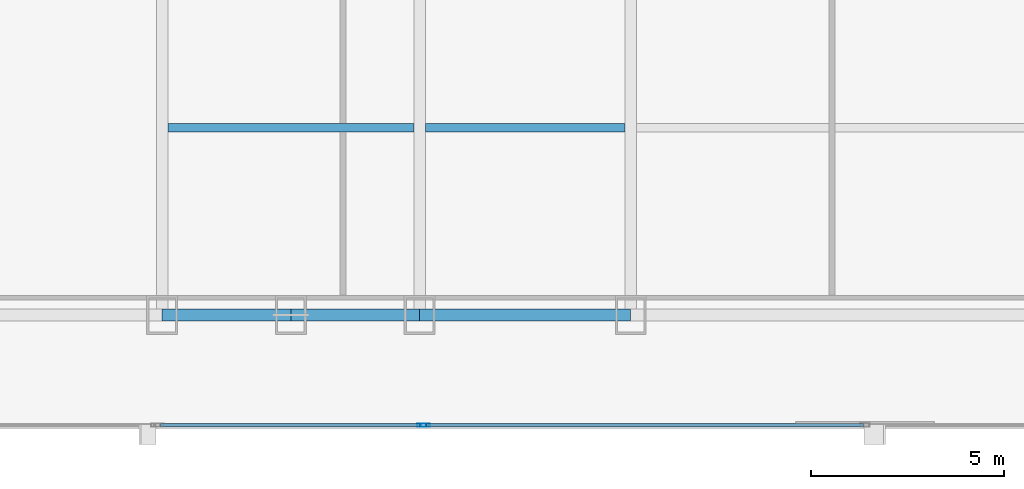
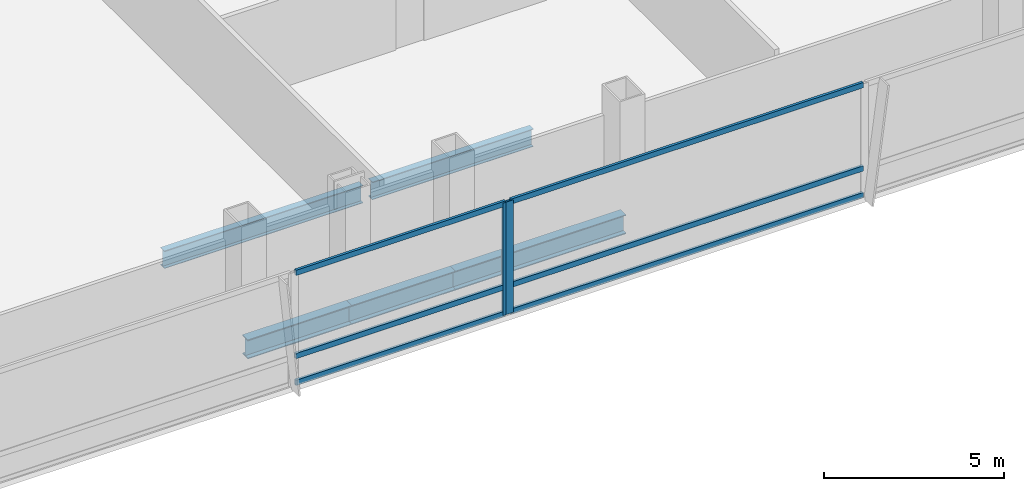
# One storey, part 8 of 37: 8 members, 5 beams, 2 elements without a shape of their own.
"""IFC4 building model written with IfcOpenShell, lengths in metres."""

import ifcopenshell
import ifcopenshell.guid

model = None  # the IFC model being written
_history = None  # IfcOwnerHistory: only IFC2X3 demands one
_inside = {}  # id of a spatial element -> (the spatial element, [elements in it])
_under = {}  # id of a project, library or spatial element -> (it, [spatial elements below it])
_declared = {}  # id of a project -> (the project, [libraries it declares])
_typed = {}  # id of a type object -> (the type object, [elements of that type])
_made_of = {}  # id of a material, layer set ... -> (it, [elements and type objects made of it])


def new_model(schema):
    """Start an empty IFC model of exactly this schema.

    Asked for "IFC4X3", IfcOpenShell would pick the latest addendum, in which some entities
    have other attributes; the version numbers below select the first issue.
    IFC2X3 requires an IfcOwnerHistory on every rooted entity: one is made here for all.
    """
    global model, _history
    if schema == "IFC4X3":
        model = ifcopenshell.file(schema_version=(4, 3, 0, 0))
    else:
        model = ifcopenshell.file(schema=schema)
    _inside.clear()
    _under.clear()
    _declared.clear()
    _typed.clear()
    _made_of.clear()
    _history = None
    if model.schema == "IFC2X3":
        org = make("IfcOrganization", Name="unknown")
        user = make(
            "IfcPersonAndOrganization",
            ThePerson=make("IfcPerson", FamilyName="unknown"),
            TheOrganization=org,
        )
        app = make(
            "IfcApplication",
            ApplicationDeveloper=org,
            Version="unknown",
            ApplicationFullName="unknown",
            ApplicationIdentifier="unknown",
        )
        _history = make(
            "IfcOwnerHistory",
            OwningUser=user,
            OwningApplication=app,
            ChangeAction="ADDED",
            CreationDate=0,
        )
    return model


def make(cls, **values):
    """One entity of the class cls with the attributes given. An attribute that is None is left unset."""
    return model.create_entity(
        cls, **{name: value for name, value in values.items() if value is not None}
    )


def rooted(cls, **values):
    """An entity with a GlobalId (a new one), such as an element, a storey or a relation."""
    return make(cls, GlobalId=ifcopenshell.guid.new(), OwnerHistory=_history, **values)


def si_unit(unit_type, name, prefix=None):
    """IfcSIUnit, for example si_unit("LENGTHUNIT", "METRE", prefix="MILLI")."""
    return make("IfcSIUnit", UnitType=unit_type, Prefix=prefix, Name=name)


def assignment(units):
    """IfcUnitAssignment: the units of a project."""
    return None if units is None else make("IfcUnitAssignment", Units=units)


def point(xyz):
    """IfcCartesianPoint."""
    return None if xyz is None else make("IfcCartesianPoint", Coordinates=xyz)


def direction(xyz):
    """IfcDirection."""
    return None if xyz is None else make("IfcDirection", DirectionRatios=xyz)


def frame(location, z_axis=None, x_axis=None):
    """IfcAxis2Placement3D, a coordinate frame: its origin and axes. An axis left out is left unset."""
    return make(
        "IfcAxis2Placement3D",
        Location=point(location),
        Axis=direction(z_axis),
        RefDirection=direction(x_axis),
    )


def frame_2d(location, x_axis=None):
    """IfcAxis2Placement2D, a coordinate frame in the plane: its origin and x axis."""
    return make(
        "IfcAxis2Placement2D", Location=point(location), RefDirection=direction(x_axis)
    )


def origin():
    """The frame at (0, 0, 0) with its axes left unset."""
    return frame((0.0, 0.0, 0.0))


def origin_2d():
    """The frame at (0, 0) in the plane with its x axis left unset."""
    return frame_2d((0.0, 0.0))


def place(relative_to, where):
    """IfcLocalPlacement: puts the frame where relative to a parent placement (None: the world)."""
    return make(
        "IfcLocalPlacement", PlacementRelTo=relative_to, RelativePlacement=where
    )


def context(
    kind, dimensions, precision=None, world=None, true_north=None, identifier=None
):
    """IfcGeometricRepresentationContext, for example the 3D "Model" context."""
    return make(
        "IfcGeometricRepresentationContext",
        ContextIdentifier=identifier,
        ContextType=kind,
        CoordinateSpaceDimension=dimensions,
        Precision=precision,
        WorldCoordinateSystem=world,
        TrueNorth=true_north,
    )


def subcontext(parent, identifier, kind, view, scale=None):
    """IfcGeometricRepresentationSubContext, for example "Body" below "Model"."""
    return make(
        "IfcGeometricRepresentationSubContext",
        ContextIdentifier=identifier,
        ContextType=kind,
        ParentContext=parent,
        TargetScale=scale,
        TargetView=view,
    )


def project(units=None, contexts=None):
    """IfcProject with its units and contexts."""
    return rooted(
        "IfcProject",
        Name="project",
        RepresentationContexts=contexts,
        UnitsInContext=assignment(units),
    )


def spatial(cls, under=None, at=None, **own):
    """A site, building, storey or space (cls), placed at a placement, below another one or the project."""
    s = rooted(cls, ObjectPlacement=at, **own)
    if under is not None:
        _under.setdefault(under.id(), (under, []))[1].append(s)
    return s


def profile(cls, at=None, kind="AREA", **sizes):
    """A parametric profile (cls). Its sizes go by their IFC names, for example OverallWidth=200.0."""
    return make(cls, ProfileType=kind, Position=at, **sizes)


def hollow_rectangle(**sizes):
    """IfcRectangleHollowProfileDef."""
    return profile("IfcRectangleHollowProfileDef", **sizes)


def i_section(**sizes):
    """IfcIShapeProfileDef."""
    return profile("IfcIShapeProfileDef", **sizes)


def extrude(swept, where, along, depth):
    """IfcExtrudedAreaSolid: the profile swept, set in the frame where, extruded along a direction by depth."""
    return make(
        "IfcExtrudedAreaSolid",
        SweptArea=swept,
        Position=where,
        ExtrudedDirection=direction(along),
        Depth=depth,
    )


def shape(context_of_items, identifier, shape_type, items):
    """IfcShapeRepresentation: the items that make up one representation, for example the "Body"."""
    return make(
        "IfcShapeRepresentation",
        ContextOfItems=context_of_items,
        RepresentationIdentifier=identifier,
        RepresentationType=shape_type,
        Items=items,
    )


def material(Name=None, Category=None):
    """IfcMaterial."""
    return make("IfcMaterial", Name=Name, Category=Category)


def material_profile(
    of_material, cross_section, Name=None, Category=None, Priority=None
):
    """IfcMaterialProfile: a cross section and its material."""
    return make(
        "IfcMaterialProfile",
        Name=Name,
        Material=of_material,
        Profile=cross_section,
        Priority=Priority,
        Category=Category,
    )


def profile_set(profiles, Name=None, composite=None):
    """IfcMaterialProfileSet."""
    return make(
        "IfcMaterialProfileSet",
        Name=Name,
        MaterialProfiles=profiles,
        CompositeProfile=composite,
    )


def made_of(thing, what):
    """Note that an element or type object is made of a material, layer set ...; save() writes the relation."""
    if what is not None:
        _made_of.setdefault(what.id(), (what, []))[1].append(thing)
    return thing


def type_object(cls, material=None, **own):
    """A type object (cls), such as IfcWallType, which elements share."""
    return made_of(rooted(cls, **own), material)


def element(
    cls,
    number,
    at=None,
    inside=None,
    cuts=None,
    type_object=None,
    material=None,
    context=None,
    identifier="Body",
    shape_type=None,
    held_by="IfcProductDefinitionShape",
    body=None,
    shapes=None,
    **own,
):
    """One element of the class cls, such as IfcWall. Its Tag is "e" and its number.

    at: its placement. inside: the storey or other place that contains it. cuts: it is an
    opening in that element (IfcRelVoidsElement). A single representation is given by context,
    identifier, shape_type and body (its items); several are given by shapes. held_by: the class
    of the entity that holds the representations. save() writes the other relations.
    """
    e = rooted(cls, Tag="e%d" % number, ObjectPlacement=at, **own)
    if body is not None:
        shapes = [shape(context, identifier, shape_type, body)]
    if shapes is not None:
        e.Representation = make(held_by, Representations=shapes)
    if inside is not None:
        _inside.setdefault(inside.id(), (inside, []))[1].append(e)
    if cuts is not None:
        rooted(
            "IfcRelVoidsElement", RelatingBuildingElement=cuts, RelatedOpeningElement=e
        )
    if type_object is not None:
        _typed.setdefault(type_object.id(), (type_object, []))[1].append(e)
    return made_of(e, material)


def aggregate(whole, parts):
    """IfcRelAggregates: a whole, such as a stair, and the parts it consists of."""
    return rooted("IfcRelAggregates", RelatingObject=whole, RelatedObjects=parts)


def save(model, path):
    """Write the relations noted so far, then the file.

    IfcRelAggregates (storeys below a building ...), IfcRelContainedInSpatialStructure (elements
    in a storey), IfcRelDefinesByType, IfcRelAssociatesMaterial and IfcRelDeclares: one each for
    every whole, place, type object, material and project.
    """
    for whole, parts in _under.values():
        aggregate(whole, parts)
    for where, things in _inside.values():
        rooted(
            "IfcRelContainedInSpatialStructure",
            RelatedElements=things,
            RelatingStructure=where,
        )
    for kind, things in _typed.values():
        rooted("IfcRelDefinesByType", RelatedObjects=things, RelatingType=kind)
    for what, things in _made_of.values():
        rooted("IfcRelAssociatesMaterial", RelatedObjects=things, RelatingMaterial=what)
    for by, libraries in _declared.values():
        rooted("IfcRelDeclares", RelatingContext=by, RelatedDefinitions=libraries)
    model.write(path)


model = new_model("IFC4")

# Units and contexts
model_context = context("Model", 3, precision=1e-05, world=origin(), true_north=direction((0.0, 1.0)))
body_context = subcontext(model_context, "Body", "Model", "MODEL_VIEW")
ifc_project = project(units=[si_unit("LENGTHUNIT", "METRE"), si_unit("AREAUNIT", "SQUARE_METRE"), si_unit("VOLUMEUNIT", "CUBIC_METRE"), si_unit("PLANEANGLEUNIT", "RADIAN"), si_unit("MASSUNIT", "GRAM", prefix="KILO")], contexts=[model_context])

# Site, building, storey
site_placement = place(None, origin())
site = spatial("IfcSite", under=ifc_project, at=site_placement, CompositionType="ELEMENT")
building_placement = place(site_placement, origin())
building = spatial("IfcBuilding", under=site, at=building_placement, Name="Khoronbel Lancet Exchange", CompositionType="ELEMENT")
storey_placement = place(building_placement, frame((0.0, 0.0, 45.800048828125)))
storey = spatial("IfcBuildingStorey", under=building, at=storey_placement, Name="L10", CompositionType="ELEMENT", Elevation=45.800048828125)

# Beams
ifc_material_1 = material(Name="Steel S355", Category="steel")
ifc_material_profile_1 = material_profile(ifc_material_1, i_section(OverallWidth=0.219970703125, OverallDepth=0.60009765625, WebThickness=0.011962890625, FlangeThickness=0.01904296875, at=origin_2d()), Name="IPE 600")
ifc_profile_set_1 = profile_set([ifc_material_profile_1], Name="Steel S355")
beam_type_1 = type_object("IfcBeamType", Name="BM-BJ1", PredefinedType="JOIST", material=ifc_profile_set_1)
beam_1_placement = place(storey_placement, frame((18.375, 15.0, -0.47998046875), z_axis=(1.0, 0.0, 0.0), x_axis=(0.0, 1.0, 0.0)))
element("IfcBeam", 1, at=beam_1_placement, inside=storey, type_object=beam_type_1, Name="Level L10 secondary composite joist J01", PredefinedType="JOIST", context=body_context, shape_type="SweptSolid", body=[
    extrude(i_section(OverallWidth=0.219970703125, OverallDepth=0.60009765625, WebThickness=0.011962890625, FlangeThickness=0.01904296875, at=origin_2d()), origin(), (0.0, 0.0, 1.0), 6.375),
])
beam_2_placement = place(storey_placement, frame((25.050048828125, 15.0, -0.47998046875), z_axis=(1.0, 0.0, 0.0), x_axis=(0.0, 1.0, 0.0)))
element("IfcBeam", 2, at=beam_2_placement, inside=storey, type_object=beam_type_1, Name="Level L10 secondary composite joist J02", PredefinedType="JOIST", context=body_context, shape_type="SweptSolid", body=[
    extrude(i_section(OverallWidth=0.219970703125, OverallDepth=0.60009765625, WebThickness=0.011962890625, FlangeThickness=0.01904296875, at=origin_2d()), origin(), (0.0, 0.0, 1.0), 5.175048828125),
])
ifc_material_profile_2 = material_profile(ifc_material_1, i_section(OverallWidth=0.300048828125, OverallDepth=0.64990234375, WebThickness=0.01611328125, FlangeThickness=0.031005859375, at=origin_2d()), Name="HEB 650")
ifc_profile_set_2 = profile_set([ifc_material_profile_2], Name="Steel S355")
beam_type_2 = type_object("IfcBeamType", Name="BM-BSP1", PredefinedType="SPANDREL", material=ifc_profile_set_2)
for number, where, z_axis, x_axis, name in (
    (3, (18.22509765625, 10.14990234375, -0.505126953125), (1.0, 0.0, 0.0), (0.0, 1.0, 0.0), "Level L10 perimeter spandrel beam SP02"),
    (4, (21.5625, 10.14990234375, -0.505126953125), (1.0, 0.0, 0.0), (0.0, 1.0, 0.0), "Level L10 perimeter spandrel beam SP03"),
):
    element("IfcBeam", number, at=place(storey_placement, frame(where, z_axis=z_axis, x_axis=x_axis)), inside=storey, type_object=beam_type_2, Name=name, PredefinedType="SPANDREL", context=body_context, shape_type="SweptSolid", body=[
        extrude(i_section(OverallWidth=0.300048828125, OverallDepth=0.64990234375, WebThickness=0.01611328125, FlangeThickness=0.031005859375, at=origin_2d()), origin(), (0.0, 0.0, 1.0), 3.33740234375),
    ])
beam_3_placement = place(storey_placement, frame((24.89990234375, 10.14990234375, -0.505126953125), z_axis=(1.0, 0.0, 0.0), x_axis=(0.0, 1.0, 0.0)))
element("IfcBeam", 5, at=beam_3_placement, inside=storey, type_object=beam_type_2, Name="Level L10 perimeter spandrel beam SP04", PredefinedType="SPANDREL", context=body_context, shape_type="SweptSolid", body=[
    extrude(i_section(OverallWidth=0.300048828125, OverallDepth=0.64990234375, WebThickness=0.01611328125, FlangeThickness=0.031005859375, at=origin_2d()), origin(), (0.0, 0.0, 1.0), 5.47509765625),
])

# Curtain wall, member
ifc_material_2 = material(Name="Low-E Solar Control Insulating Glass", Category="glass")
curtain_wall_type = type_object("IfcCurtainWallType", Name="CW-1", PredefinedType="NOTDEFINED", material=ifc_material_2)
curtain_wall_1_placement = place(storey_placement, origin())
curtain_wall_1 = element("IfcCurtainWall", 6, at=curtain_wall_1_placement, inside=storey, type_object=curtain_wall_type, Name="Unitised curtain wall CW-L10-SWB", PredefinedType="NOTDEFINED")
ifc_material_3 = material(Name="Bronze-Anodised Aluminium 6063-T6", Category="aluminium")
ifc_material_profile_3 = material_profile(ifc_material_3, hollow_rectangle(XDim=0.0849609375, YDim=0.239990234375, WallThickness=0.006103515625, at=origin_2d()), Name="ALU MULLION 85x240")
ifc_profile_set_3 = profile_set([ifc_material_profile_3], Name="Bronze-Anodised Aluminium 6063-T6")
member_type_1 = type_object("IfcMemberType", Name="MEM-CWM1", PredefinedType="MULLION", material=ifc_profile_set_3)
member_1_placement = place(storey_placement, frame((24.95751953125, 7.2900390625, 0.0), z_axis=(0.0, 0.0, 1.0), x_axis=(0.0, 1.0, 0.0)))
member_1 = element("IfcMember", 7, at=member_1_placement, type_object=member_type_1, Name="CW1 mullion 2", PredefinedType="MULLION", context=body_context, shape_type="SweptSolid", body=[
    extrude(hollow_rectangle(XDim=0.0849609375, YDim=0.239990234375, WallThickness=0.006103515625, at=origin_2d()), origin(), (0.0, 0.0, 1.0), 3.820068359375),
])

curtain_wall_2_placement = place(storey_placement, origin())
curtain_wall_2 = element("IfcCurtainWall", 8, at=curtain_wall_2_placement, inside=storey, type_object=curtain_wall_type, Name="Unitised curtain wall CW-L10-SCV", PredefinedType="NOTDEFINED")
member_2_placement = place(storey_placement, frame((25.04248046875, 7.2900390625, 0.0), z_axis=(0.0, 0.0, 1.0), x_axis=(0.0, 1.0, 0.0)))
member_2 = element("IfcMember", 9, at=member_2_placement, type_object=member_type_1, Name="CW1 mullion 1", PredefinedType="MULLION", context=body_context, shape_type="SweptSolid", body=[
    extrude(hollow_rectangle(XDim=0.0849609375, YDim=0.239990234375, WallThickness=0.006103515625, at=origin_2d()), origin(), (0.0, 0.0, 1.0), 3.820068359375),
])

# Member
ifc_material_profile_4 = material_profile(ifc_material_3, hollow_rectangle(XDim=0.0849609375, YDim=0.179931640625, WallThickness=0.0048828125, at=origin_2d()), Name="ALU TRANSOM 85x180")
ifc_profile_set_4 = profile_set([ifc_material_profile_4], Name="Bronze-Anodised Aluminium 6063-T6")
member_type_2 = type_object("IfcMemberType", Name="MEM-CWT1", PredefinedType="USERDEFINED", material=ifc_profile_set_4)
member_3_placement = place(storey_placement, frame((18.18505859375, 7.2900390625, 0.04248046875), z_axis=(1.0, 0.0, 0.0), x_axis=(0.0, 1.0, 0.0)))
member_3 = element("IfcMember", 10, at=member_3_placement, type_object=member_type_2, Name="CW1 transom 1.1", ObjectType="TRANSOM", PredefinedType="USERDEFINED", context=body_context, shape_type="SweptSolid", body=[
    extrude(hollow_rectangle(XDim=0.0849609375, YDim=0.179931640625, WallThickness=0.0048828125, at=origin_2d()), origin(), (0.0, 0.0, 1.0), 6.72998046875),
])

member_4_placement = place(storey_placement, frame((18.18505859375, 7.2900390625, 0.949951171875), z_axis=(1.0, 0.0, 0.0), x_axis=(0.0, 1.0, 0.0)))
member_4 = element("IfcMember", 11, at=member_4_placement, type_object=member_type_2, Name="CW1 transom 1.2", ObjectType="TRANSOM", PredefinedType="USERDEFINED", context=body_context, shape_type="SweptSolid", body=[
    extrude(hollow_rectangle(XDim=0.0849609375, YDim=0.179931640625, WallThickness=0.0048828125, at=origin_2d()), origin(), (0.0, 0.0, 1.0), 6.72998046875),
])

member_5_placement = place(storey_placement, frame((18.18505859375, 7.2900390625, 3.77734375), z_axis=(1.0, 0.0, 0.0), x_axis=(0.0, 1.0, 0.0)))
member_5 = element("IfcMember", 12, at=member_5_placement, type_object=member_type_2, Name="CW1 transom 1.3", ObjectType="TRANSOM", PredefinedType="USERDEFINED", context=body_context, shape_type="SweptSolid", body=[
    extrude(hollow_rectangle(XDim=0.0849609375, YDim=0.179931640625, WallThickness=0.0048828125, at=origin_2d()), origin(), (0.0, 0.0, 1.0), 6.72998046875),
])

aggregate(curtain_wall_1, [member_1, member_3, member_4, member_5])

member_6_placement = place(storey_placement, frame((25.0849609375, 7.2900390625, 0.04248046875), z_axis=(1.0, 0.0, 0.0), x_axis=(0.0, 1.0, 0.0)))
member_6 = element("IfcMember", 13, at=member_6_placement, type_object=member_type_2, Name="CW1 transom 1.1", ObjectType="TRANSOM", PredefinedType="USERDEFINED", context=body_context, shape_type="SweptSolid", body=[
    extrude(hollow_rectangle(XDim=0.0849609375, YDim=0.179931640625, WallThickness=0.0048828125, at=origin_2d()), origin(), (0.0, 0.0, 1.0), 11.322509765625),
])

member_7_placement = place(storey_placement, frame((25.0849609375, 7.2900390625, 0.949951171875), z_axis=(1.0, 0.0, 0.0), x_axis=(0.0, 1.0, 0.0)))
member_7 = element("IfcMember", 14, at=member_7_placement, type_object=member_type_2, Name="CW1 transom 1.2", ObjectType="TRANSOM", PredefinedType="USERDEFINED", context=body_context, shape_type="SweptSolid", body=[
    extrude(hollow_rectangle(XDim=0.0849609375, YDim=0.179931640625, WallThickness=0.0048828125, at=origin_2d()), origin(), (0.0, 0.0, 1.0), 11.322509765625),
])

member_8_placement = place(storey_placement, frame((25.0849609375, 7.2900390625, 3.77734375), z_axis=(1.0, 0.0, 0.0), x_axis=(0.0, 1.0, 0.0)))
member_8 = element("IfcMember", 15, at=member_8_placement, type_object=member_type_2, Name="CW1 transom 1.3", ObjectType="TRANSOM", PredefinedType="USERDEFINED", context=body_context, shape_type="SweptSolid", body=[
    extrude(hollow_rectangle(XDim=0.0849609375, YDim=0.179931640625, WallThickness=0.0048828125, at=origin_2d()), origin(), (0.0, 0.0, 1.0), 11.322509765625),
])

aggregate(curtain_wall_2, [member_2, member_6, member_7, member_8])

save(model, "model.ifc")
